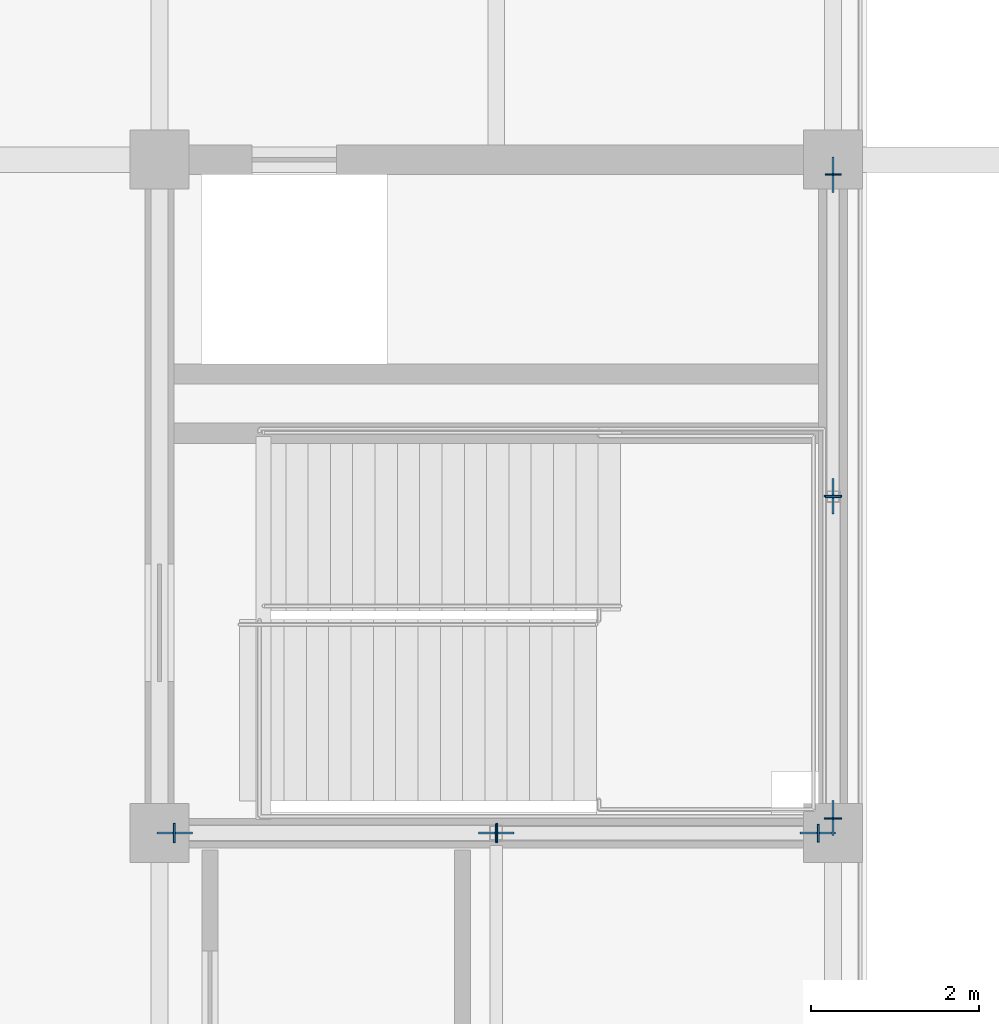
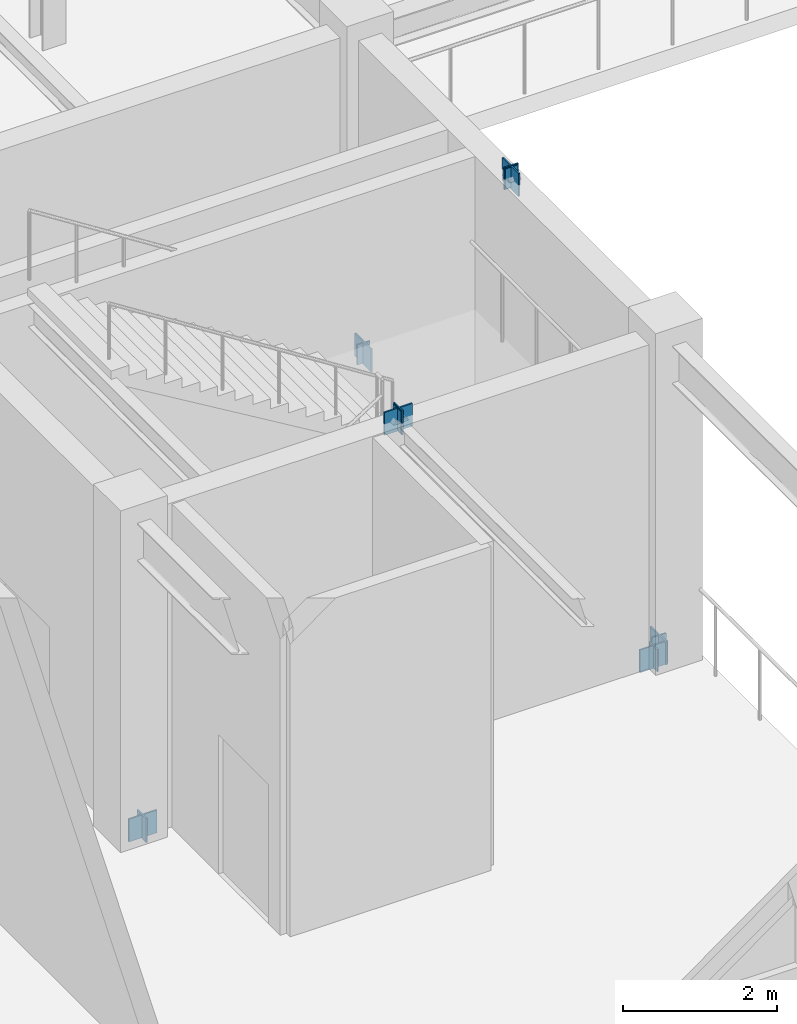
# One storey, part 141 of 184: 14 plates.
"""IFC4 building model written with IfcOpenShell, lengths in metres."""

from ifc_helpers import new_model, si_unit, direction, frame, origin, origin_2d, place, context, subcontext, project, spatial, rectangle, extrude, material, layer, layer_set, type_object, element, save


model = new_model("IFC4")

# Units and contexts
model_context = context("Model", 3, precision=1e-05, world=origin(), true_north=direction((0.0, 1.0)))
body_context = subcontext(model_context, "Body", "Model", "MODEL_VIEW")
ifc_project = project(units=[si_unit("LENGTHUNIT", "METRE"), si_unit("AREAUNIT", "SQUARE_METRE"), si_unit("VOLUMEUNIT", "CUBIC_METRE"), si_unit("PLANEANGLEUNIT", "RADIAN"), si_unit("MASSUNIT", "GRAM", prefix="KILO")], contexts=[model_context])

# Site, building, storey
site_placement = place(None, origin())
site = spatial("IfcSite", under=ifc_project, at=site_placement, CompositionType="ELEMENT")
building_placement = place(site_placement, origin())
building = spatial("IfcBuilding", under=site, at=building_placement, Name="Zhaolan Boulevard Law Courts", CompositionType="ELEMENT")
storey_placement = place(building_placement, frame((0.0, 0.0, 5.39990234375)))
storey = spatial("IfcBuildingStorey", under=building, at=storey_placement, Name="L01", CompositionType="ELEMENT", Elevation=5.39990234375)

# Plates
ifc_material_1 = material(Name="Structural steel Q355B", Category="steel")
ifc_layer_1 = layer(ifc_material_1, 0.02392578125)
ifc_layer_set_1 = layer_set([ifc_layer_1])
plate_type_1 = type_object("IfcPlateType", Name="BRACE GUSSET PLATE 24", PredefinedType="SHEET", material=ifc_layer_set_1)
for number, where, z_axis, x_axis, name in (
    (1, (84.179931640625, 70.0, -0.14990234375), (0.0, 0.0, 1.0), (1.0, 0.0, 0.0), "Brace Gusset Connection Plate GP-T1-L01-SA1"),
    (2, (91.820068359375, 70.0, -0.14990234375), (0.0, 0.0, 1.0), (1.0, 0.0, 0.0), "Brace Gusset Connection Plate GP-T1-L01-SA2"),
    (3, (88.0, 70.0, 4.93994140625), (0.0, 0.0, 1.0), (1.0, 0.0, 0.0), "Brace Gusset Connection Plate GP-T1-L01-SAPX"),
    (4, (92.0, 70.179931640625, -0.14990234375), (0.0, 0.0, 1.0), (0.0, 1.0, 0.0), "Brace Gusset Connection Plate GP-T1-L01-EA1"),
    (5, (92.0, 77.820068359375, -0.14990234375), (0.0, 0.0, 1.0), (0.0, 1.0, 0.0), "Brace Gusset Connection Plate GP-T1-L01-EA2"),
    (6, (92.0, 74.0, 4.93994140625), (0.0, 0.0, 1.0), (0.0, 1.0, 0.0), "Brace Gusset Connection Plate GP-T1-L01-EAPX"),
):
    element("IfcPlate", number, at=place(storey_placement, frame(where, z_axis=z_axis, x_axis=x_axis)), inside=storey, type_object=plate_type_1, Name=name, PredefinedType="SHEET", context=body_context, shape_type="SweptSolid", body=[
        extrude(rectangle(XDim=0.419921875, YDim=0.02392578125, at=origin_2d()), origin(), (0.0, 0.0, 1.0), 0.360107421875),
    ])
ifc_material_2 = material(Name="Structural steel Q355B", Category="steel")
ifc_layer_2 = layer(ifc_material_2, 0.02001953125)
ifc_layer_set_2 = layer_set([ifc_layer_2])
plate_type_2 = type_object("IfcPlateType", Name="END CAP PLATE 20", PredefinedType="SHEET", material=ifc_layer_set_2)
for number, where, z_axis, x_axis, name in (
    (7, (84.17529296875, 70.0, -0.16796875), (0.0, 0.0, 1.0), (1.0, 0.0, 0.0), "Hollow Section End-Cap Plate ECP-1287"),
    (8, (88.0048828125, 70.0, 4.93505859375), (0.0, 0.0, 1.0), (1.0, 0.0, 0.0), "Hollow Section End-Cap Plate ECP-1288"),
):
    element("IfcPlate", number, at=place(storey_placement, frame(where, z_axis=z_axis, x_axis=x_axis)), inside=storey, type_object=plate_type_2, Name=name, PredefinedType="SHEET", context=body_context, shape_type="SweptSolid", body=[
        extrude(rectangle(XDim=0.02001953125, YDim=0.22998046875, at=origin_2d()), origin(), (0.0, 0.0, 1.0), 0.383056640625),
    ])
for number, where, z_axis, x_axis, name in (
    (9, (91.82470703125, 70.0, -0.1513671875), (0.0, 0.0, 1.0), (-1.0, 0.0, 0.0), "Hollow Section End-Cap Plate ECP-1289"),
    (10, (87.9951171875, 70.0, 4.951416015625), (0.0, 0.0, 1.0), (-1.0, 0.0, 0.0), "Hollow Section End-Cap Plate ECP-1290"),
    (11, (92.0, 70.17529296875, -0.1513671875), (0.0, 0.0, 1.0), (0.0, 1.0, 0.0), "Hollow Section End-Cap Plate ECP-1291"),
    (12, (92.0, 74.0048828125, 4.951416015625), (0.0, 0.0, 1.0), (0.0, 1.0, 0.0), "Hollow Section End-Cap Plate ECP-1292"),
):
    element("IfcPlate", number, at=place(storey_placement, frame(where, z_axis=z_axis, x_axis=x_axis)), inside=storey, type_object=plate_type_2, Name=name, PredefinedType="SHEET", context=body_context, shape_type="SweptSolid", body=[
        extrude(rectangle(XDim=0.02001953125, YDim=0.2099609375, at=origin_2d()), origin(), (0.0, 0.0, 1.0), 0.35009765625),
    ])
for number, where, z_axis, x_axis, name in (
    (13, (92.0, 77.82470703125, -0.134765625), (0.0, 0.0, 1.0), (0.0, -1.0, 0.0), "Hollow Section End-Cap Plate ECP-1293"),
    (14, (92.0, 73.9951171875, 4.968017578125), (0.0, 0.0, 1.0), (0.0, -1.0, 0.0), "Hollow Section End-Cap Plate ECP-1294"),
):
    element("IfcPlate", number, at=place(storey_placement, frame(where, z_axis=z_axis, x_axis=x_axis)), inside=storey, type_object=plate_type_2, Name=name, PredefinedType="SHEET", context=body_context, shape_type="SweptSolid", body=[
        extrude(rectangle(XDim=0.02001953125, YDim=0.18994140625, at=origin_2d()), origin(), (0.0, 0.0, 1.0), 0.31689453125),
    ])

save(model, "model.ifc")
